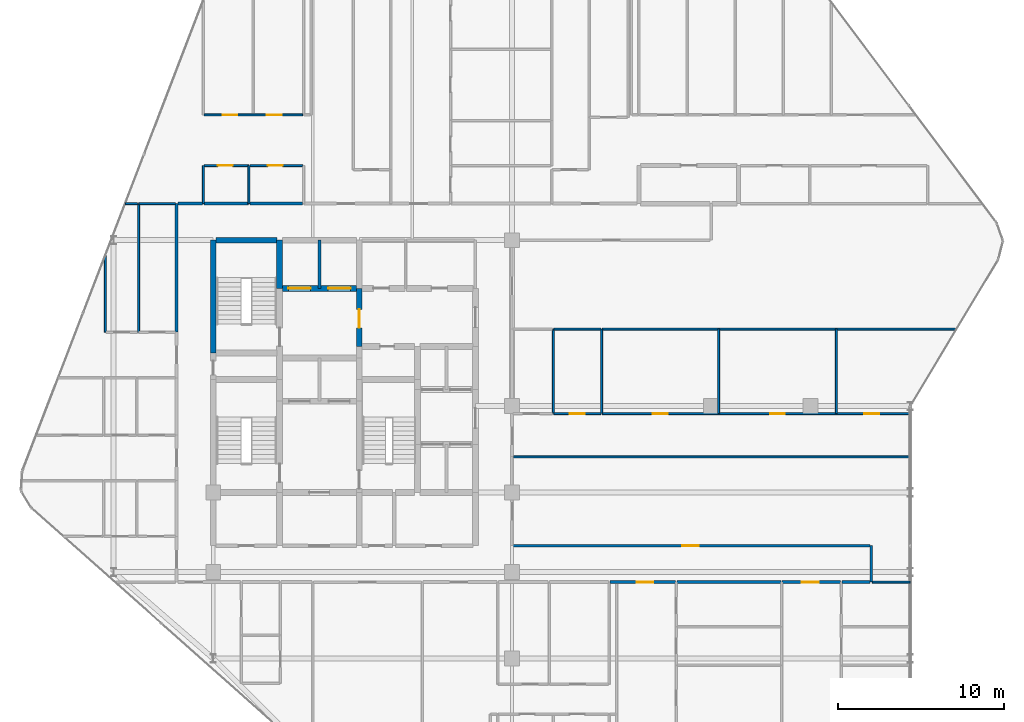
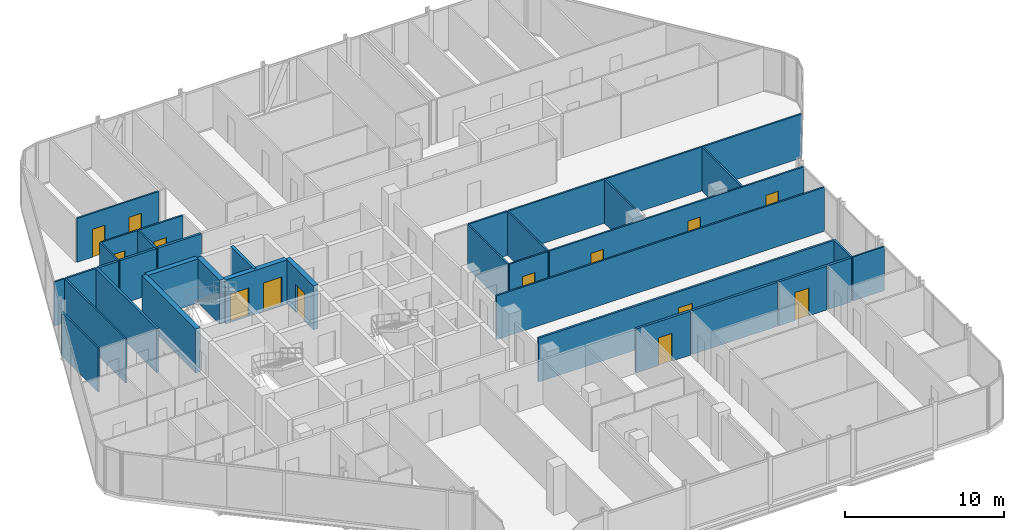
# One storey, part 28 of 31: 35 walls, 14 doors, 14 openings.
"""IFC4 building model written with IfcOpenShell, lengths in metres."""

from ifc_helpers import new_model, si_unit, direction, frame, frame_2d, origin, place, context, subcontext, project, spatial, rectangle, extrude, material, layer, layer_set, type_object, element, fill, save


model = new_model("IFC4")

# Units and contexts
model_context = context("Model", 3, precision=1e-05, world=origin(), true_north=direction((0.0, 1.0)))
body_context = subcontext(model_context, "Body", "Model", "MODEL_VIEW")
ifc_project = project(units=[si_unit("LENGTHUNIT", "METRE"), si_unit("AREAUNIT", "SQUARE_METRE"), si_unit("VOLUMEUNIT", "CUBIC_METRE"), si_unit("PLANEANGLEUNIT", "RADIAN"), si_unit("MASSUNIT", "GRAM", prefix="KILO")], contexts=[model_context])

# Site, building, storey
site_placement = place(None, origin())
site = spatial("IfcSite", under=ifc_project, at=site_placement, CompositionType="ELEMENT")
building_placement = place(site_placement, origin())
building = spatial("IfcBuilding", under=site, at=building_placement, Name="Keshet Zoharim Tower", CompositionType="ELEMENT")
storey_placement = place(building_placement, frame((0.0, 0.0, 129.800048828125)))
storey = spatial("IfcBuildingStorey", under=building, at=storey_placement, Name="L31", CompositionType="ELEMENT", Elevation=129.800048828125)

# Wall
ifc_material_1 = material(Name="Gypsum Plasterboard", Category="gypsum")
ifc_layer_1 = layer(ifc_material_1, 0.14990234375)
ifc_layer_set_1 = layer_set([ifc_layer_1], Name="Gypsum Plasterboard")
wall_type_1 = type_object("IfcWallType", Name="WL-CLIN-150", PredefinedType="STANDARD", material=ifc_layer_set_1)
wall_1_placement = place(storey_placement, frame((54.64990234375, 17.31005859375, 0.0), z_axis=(0.0, 0.0, 1.0), x_axis=(0.0, 1.0, 0.0)))
element("IfcWall", 1, at=wall_1_placement, inside=storey, type_object=wall_type_1, Name="L31 Interior Wall 105", PredefinedType="STANDARD", context=body_context, shape_type="SweptSolid", body=[
    extrude(rectangle(XDim=2.18994140625, YDim=0.14990234375, at=frame_2d((1.094970703125, 0.0))), origin(), (0.0, 0.0, 1.0), 3.385009765625),
])

# Wall, opening, door
wall_2_placement = place(storey_placement, frame((33.070068359375, 19.5, 0.0), z_axis=(0.0, 0.0, 1.0), x_axis=(1.0, 0.0, 0.0)))
wall_2 = element("IfcWall", 2, at=wall_2_placement, inside=storey, type_object=wall_type_1, Name="L31 Interior Wall 138", PredefinedType="STANDARD", context=body_context, shape_type="SweptSolid", body=[
    extrude(rectangle(XDim=21.510009765625, YDim=0.14990234375, at=frame_2d((10.7548828125, 0.0))), origin(), (0.0, 0.0, 1.0), 3.385009765625),
])
opening_1_placement = place(wall_2_placement, frame((10.18505859375, 0.0, 0.0)))
opening_1 = element("IfcOpeningElement", 3, at=opening_1_placement, cuts=wall_2, Name="Opening D-F310", PredefinedType="OPENING", context=body_context, shape_type="SweptSolid", body=[
    extrude(rectangle(XDim=1.0, YDim=2.14990234375, at=frame_2d((0.5, 1.074951171875))), frame((0.0, 0.0849609375, 0.0), z_axis=(0.0, -1.0, 0.0), x_axis=(1.0, 0.0, 0.0)), (0.0, 0.0, 1.0), 0.169921875),
])
ifc_material_2 = material(Name="Hardwood Timber", Category="wood")
door_type_1 = type_object("IfcDoorType", Name="DR-FD30-100", OperationType="NOTDEFINED", PredefinedType="DOOR", material=ifc_material_2)
door_1_placement = place(opening_1_placement, origin())
door_1 = element("IfcDoor", 4, at=door_1_placement, inside=storey, type_object=door_type_1, Name="L31 South East Residents Services Suite Door 1", OperationType="SINGLE_SWING_RIGHT", OverallHeight=2.14990234375, OverallWidth=1.0, PredefinedType="DOOR", context=body_context, shape_type="SweptSolid", body=[
    extrude(rectangle(XDim=1.0, YDim=2.14990234375, at=frame_2d((0.5, 1.074951171875))), frame((0.0, 0.02490234375, 0.0), z_axis=(0.0, -1.0, 0.0), x_axis=(1.0, 0.0, 0.0)), (0.0, 0.0, 1.0), 0.050048828125),
])
fill(opening_1, door_1)

# Walls
ifc_material_3 = material(Name="Concrete C60/75", Category="concrete")
ifc_layer_2 = layer(ifc_material_3, 0.35009765625)
ifc_layer_set_2 = layer_set([ifc_layer_2], Name="Concrete C60/75")
wall_type_2 = type_object("IfcWallType", Name="WL-CORE-350", PredefinedType="SHEAR", material=ifc_layer_set_2)
wall_3_placement = place(storey_placement, frame((15.0, 31.10009765625, 0.0), z_axis=(0.0, 0.0, 1.0), x_axis=(0.0, 1.0, 0.0)))
element("IfcWall", 5, at=wall_3_placement, inside=storey, type_object=wall_type_2, Name="L31 Core Shear Wall 018", PredefinedType="SHEAR", context=body_context, shape_type="SweptSolid", body=[
    extrude(rectangle(XDim=6.7998046875, YDim=0.35009765625, at=frame_2d((3.39990234375, 0.0))), origin(), (0.0, 0.0, 1.0), 3.385009765625),
])
wall_4_placement = place(storey_placement, frame((19.0, 35.0, 0.0), z_axis=(0.0, 0.0, 1.0), x_axis=(0.0, 1.0, 0.0)))
element("IfcWall", 6, at=wall_4_placement, inside=storey, type_object=wall_type_2, Name="L31 Core Shear Wall 027", PredefinedType="SHEAR", context=body_context, shape_type="SweptSolid", body=[
    extrude(rectangle(XDim=2.89990234375, YDim=0.35009765625, at=frame_2d((1.449951171875, 0.0))), origin(), (0.0, 0.0, 1.0), 3.385009765625),
])

# Wall, opening, door
wall_5_placement = place(storey_placement, frame((23.800048828125, 31.5, 0.0), z_axis=(0.0, 0.0, 1.0), x_axis=(0.0, 1.0, 0.0)))
wall_5 = element("IfcWall", 7, at=wall_5_placement, inside=storey, type_object=wall_type_2, Name="L31 Core Shear Wall 042", PredefinedType="SHEAR", context=body_context, shape_type="SweptSolid", body=[
    extrude(rectangle(XDim=3.5, YDim=0.35009765625, at=frame_2d((1.75, 0.0))), origin(), (0.0, 0.0, 1.0), 3.385009765625),
])
opening_2_placement = place(wall_5_placement, frame((1.126953125, 0.0, 0.0)))
opening_2 = element("IfcOpeningElement", 8, at=opening_2_placement, cuts=wall_5, Name="Opening D-F611", PredefinedType="OPENING", context=body_context, shape_type="SweptSolid", body=[
    extrude(rectangle(XDim=1.10009765625, YDim=2.14990234375, at=frame_2d((0.550048828125, 1.074951171875))), frame((0.0, 0.18505859375, 0.0), z_axis=(0.0, -1.0, 0.0), x_axis=(1.0, 0.0, 0.0)), (0.0, 0.0, 1.0), 0.3701171875),
])
door_type_2 = type_object("IfcDoorType", Name="DR-FD60-110", OperationType="NOTDEFINED", PredefinedType="DOOR", material=ifc_material_2)
door_2_placement = place(opening_2_placement, origin())
door_2 = element("IfcDoor", 9, at=door_2_placement, inside=storey, type_object=door_type_2, Name="L31 Firefighting Lobby Fire Door", OperationType="SINGLE_SWING_RIGHT", OverallHeight=2.14990234375, OverallWidth=1.10009765625, PredefinedType="DOOR", context=body_context, shape_type="SweptSolid", body=[
    extrude(rectangle(XDim=1.10009765625, YDim=2.14990234375, at=frame_2d((0.550048828125, 1.074951171875))), frame((0.0, 0.02490234375, 0.0), z_axis=(0.0, -1.0, 0.0), x_axis=(1.0, 0.0, 0.0)), (0.0, 0.0, 1.0), 0.050048828125),
])
fill(opening_2, door_2)

# Wall, openings, doors
wall_6_placement = place(storey_placement, frame((19.159912109375, 35.0, 0.0), z_axis=(0.0, 0.0, 1.0), x_axis=(1.0, 0.0, 0.0)))
wall_6 = element("IfcWall", 10, at=wall_6_placement, inside=storey, type_object=wall_type_2, Name="L31 Core Shear Wall 174", PredefinedType="SHEAR", context=body_context, shape_type="SweptSolid", body=[
    extrude(rectangle(XDim=4.47998046875, YDim=0.35009765625, at=frame_2d((2.239990234375, 0.0))), origin(), (0.0, 0.0, 1.0), 3.385009765625),
])
opening_3_placement = place(wall_6_placement, frame((0.364990234375, 0.0, 0.0)))
opening_3 = element("IfcOpeningElement", 11, at=opening_3_placement, cuts=wall_6, Name="Opening LD-02", PredefinedType="OPENING", context=body_context, shape_type="SweptSolid", body=[
    extrude(rectangle(XDim=1.35009765625, YDim=2.199951171875, at=frame_2d((0.675048828125, 1.10009765625))), frame((0.0, 0.18505859375, 0.0), z_axis=(0.0, -1.0, 0.0), x_axis=(1.0, 0.0, 0.0)), (0.0, 0.0, 1.0), 0.3701171875),
])
opening_4_placement = place(wall_6_placement, frame((2.764892578125, 0.0, 0.0)))
opening_4 = element("IfcOpeningElement", 12, at=opening_4_placement, cuts=wall_6, Name="Opening LD-02", PredefinedType="OPENING", context=body_context, shape_type="SweptSolid", body=[
    extrude(rectangle(XDim=1.35009765625, YDim=2.199951171875, at=frame_2d((0.675048828125, 1.10009765625))), frame((0.0, 0.18505859375, 0.0), z_axis=(0.0, -1.0, 0.0), x_axis=(1.0, 0.0, 0.0)), (0.0, 0.0, 1.0), 0.3701171875),
])
ifc_material_4 = material(Name="Steel S355", Category="steel")
door_type_3 = type_object("IfcDoorType", Name="DR-LD02-135", OperationType="DOUBLE_DOOR_SLIDING", PredefinedType="DOOR", material=ifc_material_4)
door_3_placement = place(opening_3_placement, origin())
door_3 = element("IfcDoor", 13, at=door_3_placement, inside=storey, type_object=door_type_3, Name="L31 Firefighting Lift Landing Door FF-01", OperationType="DOUBLE_DOOR_SLIDING", OverallHeight=2.199951171875, OverallWidth=1.35009765625, PredefinedType="DOOR", context=body_context, shape_type="SweptSolid", body=[
    extrude(rectangle(XDim=1.35009765625, YDim=2.199951171875, at=frame_2d((0.675048828125, 1.10009765625))), frame((0.0, 0.02490234375, 0.0), z_axis=(0.0, -1.0, 0.0), x_axis=(1.0, 0.0, 0.0)), (0.0, 0.0, 1.0), 0.050048828125),
])
fill(opening_3, door_3)
door_4_placement = place(opening_4_placement, origin())
door_4 = element("IfcDoor", 14, at=door_4_placement, inside=storey, type_object=door_type_3, Name="L31 Firefighting Lift Landing Door FF-02", OperationType="DOUBLE_DOOR_SLIDING", OverallHeight=2.199951171875, OverallWidth=1.35009765625, PredefinedType="DOOR", context=body_context, shape_type="SweptSolid", body=[
    extrude(rectangle(XDim=1.35009765625, YDim=2.199951171875, at=frame_2d((0.675048828125, 1.10009765625))), frame((0.0, 0.02490234375, 0.0), z_axis=(0.0, -1.0, 0.0), x_axis=(1.0, 0.0, 0.0)), (0.0, 0.0, 1.0), 0.050048828125),
])
fill(opening_4, door_4)

# Walls
wall_7_placement = place(storey_placement, frame((15.159912109375, 37.89990234375, 0.0), z_axis=(0.0, 0.0, 1.0), x_axis=(1.0, 0.0, 0.0)))
element("IfcWall", 15, at=wall_7_placement, inside=storey, type_object=wall_type_2, Name="L31 Core Shear Wall 177", PredefinedType="SHEAR", context=body_context, shape_type="SweptSolid", body=[
    extrude(rectangle(XDim=3.68017578125, YDim=0.35009765625, at=frame_2d((1.840087890625, 0.0))), origin(), (0.0, 0.0, 1.0), 3.385009765625),
])
ifc_layer_3 = layer(ifc_material_1, 0.179931640625)
ifc_layer_set_3 = layer_set([ifc_layer_3], Name="Gypsum Plasterboard")
wall_type_3 = type_object("IfcWallType", Name="WL-CORR-180", PredefinedType="STANDARD", material=ifc_layer_set_3)
wall_8_placement = place(storey_placement, frame((12.800048828125, 32.360107421875, 0.0), z_axis=(0.0, 0.0, 1.0), x_axis=(0.0, 1.0, 0.0)))
element("IfcWall", 16, at=wall_8_placement, inside=storey, type_object=wall_type_3, Name="L31 Interior Wall 012", PredefinedType="STANDARD", context=body_context, shape_type="SweptSolid", body=[
    extrude(rectangle(XDim=7.739990234375, YDim=0.179931640625, at=frame_2d((3.8701171875, 0.0))), origin(), (0.0, 0.0, 1.0), 3.385009765625),
])

# Wall, opening, door
wall_9_placement = place(storey_placement, frame((38.89501953125, 17.300048828125, 0.0), z_axis=(0.0, 0.0, 1.0), x_axis=(1.0, 0.0, 0.0)))
wall_9 = element("IfcWall", 17, at=wall_9_placement, inside=storey, type_object=wall_type_3, Name="L31 Interior Wall 129", PredefinedType="STANDARD", context=body_context, shape_type="SweptSolid", body=[
    extrude(rectangle(XDim=3.9599609375, YDim=0.179931640625, at=frame_2d((1.97998046875, 0.0))), origin(), (0.0, 0.0, 1.0), 3.385009765625),
])
opening_5_placement = place(wall_9_placement, frame((1.60888671875, 0.0, 0.0)))
opening_5 = element("IfcOpeningElement", 18, at=opening_5_placement, cuts=wall_9, Name="Opening D-F310", PredefinedType="OPENING", context=body_context, shape_type="SweptSolid", body=[
    extrude(rectangle(XDim=1.0, YDim=2.14990234375, at=frame_2d((0.5, 1.074951171875))), frame((0.0, 0.10009765625, 0.0), z_axis=(0.0, -1.0, 0.0), x_axis=(1.0, 0.0, 0.0)), (0.0, 0.0, 1.0), 0.199951171875),
])
door_5_placement = place(opening_5_placement, origin())
door_5 = element("IfcDoor", 19, at=door_5_placement, inside=storey, type_object=door_type_1, Name="Apartment 3103 Entrance Door", OperationType="SINGLE_SWING_RIGHT", OverallHeight=2.14990234375, OverallWidth=1.0, PredefinedType="DOOR", context=body_context, shape_type="SweptSolid", body=[
    extrude(rectangle(XDim=1.0, YDim=2.14990234375, at=frame_2d((0.5, 1.074951171875))), frame((0.0, 0.02490234375, 0.0), z_axis=(0.0, -1.0, 0.0), x_axis=(1.0, 0.0, 0.0)), (0.0, 0.0, 1.0), 0.050048828125),
])
fill(opening_5, door_5)

# Wall
wall_10_placement = place(storey_placement, frame((42.945068359375, 17.300048828125, 0.0), z_axis=(0.0, 0.0, 1.0), x_axis=(1.0, 0.0, 0.0)))
element("IfcWall", 20, at=wall_10_placement, inside=storey, type_object=wall_type_3, Name="L31 Interior Wall 130", PredefinedType="STANDARD", context=body_context, shape_type="SweptSolid", body=[
    extrude(rectangle(XDim=6.25, YDim=0.179931640625, at=frame_2d((3.125, 0.0))), origin(), (0.0, 0.0, 1.0), 3.385009765625),
])

# Wall, opening, door
wall_11_placement = place(storey_placement, frame((49.284912109375, 17.300048828125, 0.0), z_axis=(0.0, 0.0, 1.0), x_axis=(1.0, 0.0, 0.0)))
wall_11 = element("IfcWall", 21, at=wall_11_placement, inside=storey, type_object=wall_type_3, Name="L31 Interior Wall 131", PredefinedType="STANDARD", context=body_context, shape_type="SweptSolid", body=[
    extrude(rectangle(XDim=3.510009765625, YDim=0.179931640625, at=frame_2d((1.7548828125, 0.0))), origin(), (0.0, 0.0, 1.0), 3.385009765625),
])
opening_6_placement = place(wall_11_placement, frame((1.18505859375, 0.0, 0.0)))
opening_6 = element("IfcOpeningElement", 22, at=opening_6_placement, cuts=wall_11, Name="Opening D-F310", PredefinedType="OPENING", context=body_context, shape_type="SweptSolid", body=[
    extrude(rectangle(XDim=1.0, YDim=2.14990234375, at=frame_2d((0.5, 1.074951171875))), frame((0.0, 0.10009765625, 0.0), z_axis=(0.0, -1.0, 0.0), x_axis=(1.0, 0.0, 0.0)), (0.0, 0.0, 1.0), 0.199951171875),
])
door_6_placement = place(opening_6_placement, origin())
door_6 = element("IfcDoor", 23, at=door_6_placement, inside=storey, type_object=door_type_1, Name="Apartment 3104 Entrance Door", OperationType="SINGLE_SWING_LEFT", OverallHeight=2.14990234375, OverallWidth=1.0, PredefinedType="DOOR", context=body_context, shape_type="SweptSolid", body=[
    extrude(rectangle(XDim=1.0, YDim=2.14990234375, at=frame_2d((0.5, 1.074951171875))), frame((0.0, 0.02490234375, 0.0), z_axis=(0.0, -1.0, 0.0), x_axis=(1.0, 0.0, 0.0)), (0.0, 0.0, 1.0), 0.050048828125),
])
fill(opening_6, door_6)

# Walls
wall_12_placement = place(storey_placement, frame((52.885009765625, 17.300048828125, 0.0), z_axis=(0.0, 0.0, 1.0), x_axis=(1.0, 0.0, 0.0)))
element("IfcWall", 24, at=wall_12_placement, inside=storey, type_object=wall_type_3, Name="L31 Interior Wall 132", PredefinedType="STANDARD", context=body_context, shape_type="SweptSolid", body=[
    extrude(rectangle(XDim=1.695068359375, YDim=0.179931640625, at=frame_2d((0.84765625, 0.0))), origin(), (0.0, 0.0, 1.0), 3.385009765625),
])
wall_13_placement = place(storey_placement, frame((12.875, 40.10009765625, 0.0), z_axis=(0.0, 0.0, 1.0), x_axis=(1.0, 0.0, 0.0)))
element("IfcWall", 25, at=wall_13_placement, inside=storey, type_object=wall_type_3, Name="L31 Interior Wall 184", PredefinedType="STANDARD", context=body_context, shape_type="SweptSolid", body=[
    extrude(rectangle(XDim=1.47998046875, YDim=0.179931640625, at=frame_2d((0.739990234375, 0.0))), origin(), (0.0, 0.0, 1.0), 3.385009765625),
])
wall_14_placement = place(storey_placement, frame((14.445068359375, 40.10009765625, 0.0), z_axis=(0.0, 0.0, 1.0), x_axis=(1.0, 0.0, 0.0)))
element("IfcWall", 26, at=wall_14_placement, inside=storey, type_object=wall_type_3, Name="L31 Interior Wall 185", PredefinedType="STANDARD", context=body_context, shape_type="SweptSolid", body=[
    extrude(rectangle(XDim=2.683837890625, YDim=0.179931640625, at=frame_2d((1.341796875, 0.0))), origin(), (0.0, 0.0, 1.0), 3.385009765625),
])
wall_15_placement = place(storey_placement, frame((17.218994140625, 40.10009765625, 0.0), z_axis=(0.0, 0.0, 1.0), x_axis=(1.0, 0.0, 0.0)))
element("IfcWall", 27, at=wall_15_placement, inside=storey, type_object=wall_type_3, Name="L31 Interior Wall 186", PredefinedType="STANDARD", context=body_context, shape_type="SweptSolid", body=[
    extrude(rectangle(XDim=3.166015625, YDim=0.179931640625, at=frame_2d((1.5830078125, 0.0))), origin(), (0.0, 0.0, 1.0), 3.385009765625),
])
ifc_material_5 = material(Name="Concrete C50/60", Category="concrete")
ifc_layer_4 = layer(ifc_material_5, 0.199951171875)
ifc_layer_set_4 = layer_set([ifc_layer_4], Name="Concrete C50/60")
wall_type_4 = type_object("IfcWallType", Name="WL-FIRE-200", PredefinedType="STANDARD", material=ifc_layer_set_4)
wall_16_placement = place(storey_placement, frame((21.39990234375, 35.0, 0.0), z_axis=(0.0, 0.0, 1.0), x_axis=(0.0, 1.0, 0.0)))
element("IfcWall", 28, at=wall_16_placement, inside=storey, type_object=wall_type_4, Name="L31 Interior Wall 035", PredefinedType="STANDARD", context=body_context, shape_type="SweptSolid", body=[
    extrude(rectangle(XDim=2.89990234375, YDim=0.199951171875, at=frame_2d((1.449951171875, 0.0))), origin(), (0.0, 0.0, 1.0), 3.385009765625),
])
ifc_layer_5 = layer(ifc_material_1, 0.1201171875)
ifc_layer_set_5 = layer_set([ifc_layer_5], Name="Gypsum Plasterboard")
wall_type_5 = type_object("IfcWallType", Name="WL-PART-120", PredefinedType="PARTITIONING", material=ifc_layer_set_5)
wall_17_placement = place(storey_placement, frame((8.5, 32.360107421875, 0.0), z_axis=(0.0, 0.0, 1.0), x_axis=(0.0, 1.0, 0.0)))
element("IfcWall", 29, at=wall_17_placement, inside=storey, type_object=wall_type_5, Name="L31 Interior Wall 003", PredefinedType="PARTITIONING", context=body_context, shape_type="SweptSolid", body=[
    extrude(rectangle(XDim=4.6298828125, YDim=0.1201171875, at=frame_2d((2.31494140625, 0.0))), origin(), (0.0, 0.0, 1.0), 3.385009765625),
])
wall_18_placement = place(storey_placement, frame((14.39990234375, 40.10009765625, 0.0), z_axis=(0.0, 0.0, 1.0), x_axis=(0.0, 1.0, 0.0)))
element("IfcWall", 30, at=wall_18_placement, inside=storey, type_object=wall_type_5, Name="L31 Interior Wall 013", PredefinedType="PARTITIONING", context=body_context, shape_type="SweptSolid", body=[
    extrude(rectangle(XDim=2.2998046875, YDim=0.1201171875, at=frame_2d((1.14990234375, 0.0))), origin(), (0.0, 0.0, 1.0), 3.385009765625),
])
for number, where, z_axis, x_axis, name in (
    (31, (45.449951171875, 27.469970703125, 0.0), (0.0, 0.0, 1.0), (0.0, 1.0, 0.0), "L31 Interior Wall 092"),
    (32, (52.550048828125, 27.469970703125, 0.0), (0.0, 0.0, 1.0), (0.0, 1.0, 0.0), "L31 Interior Wall 101"),
):
    element("IfcWall", number, at=place(storey_placement, frame(where, z_axis=z_axis, x_axis=x_axis)), inside=storey, type_object=wall_type_5, Name=name, PredefinedType="PARTITIONING", context=body_context, shape_type="SweptSolid", body=[
        extrude(rectangle(XDim=5.070068359375, YDim=0.1201171875, at=frame_2d((2.53515625, 0.0))), origin(), (0.0, 0.0, 1.0), 3.385009765625),
    ])
wall_19_placement = place(storey_placement, frame((33.0849609375, 24.85009765625, 0.0), z_axis=(0.0, 0.0, 1.0), x_axis=(1.0, 0.0, 0.0)))
element("IfcWall", 33, at=wall_19_placement, inside=storey, type_object=wall_type_5, Name="L31 Interior Wall 150", PredefinedType="PARTITIONING", context=body_context, shape_type="SweptSolid", body=[
    extrude(rectangle(XDim=23.905029296875, YDim=0.1201171875, at=frame_2d((11.95263671875, 0.0))), origin(), (0.0, 0.0, 1.0), 3.385009765625),
])

# Wall, openings, doors
wall_20_placement = place(storey_placement, frame((38.445068359375, 27.449951171875, 0.0), z_axis=(0.0, 0.0, 1.0), x_axis=(1.0, 0.0, 0.0)))
wall_20 = element("IfcWall", 34, at=wall_20_placement, inside=storey, type_object=wall_type_5, Name="L31 Interior Wall 157", PredefinedType="PARTITIONING", context=body_context, shape_type="SweptSolid", body=[
    extrude(rectangle(XDim=18.544921875, YDim=0.1201171875, at=frame_2d((9.2724609375, 0.0))), origin(), (0.0, 0.0, 1.0), 3.385009765625),
])
opening_7_placement = place(wall_20_placement, frame((3.0419921875, 0.0, 0.0)))
opening_7 = element("IfcOpeningElement", 35, at=opening_7_placement, cuts=wall_20, Name="Opening D-IN90", PredefinedType="OPENING", context=body_context, shape_type="SweptSolid", body=[
    extrude(rectangle(XDim=0.89990234375, YDim=2.14990234375, at=frame_2d((0.449951171875, 1.074951171875))), frame((0.0, 0.070068359375, 0.0), z_axis=(0.0, -1.0, 0.0), x_axis=(1.0, 0.0, 0.0)), (0.0, 0.0, 1.0), 0.14013671875),
])
opening_8_placement = place(wall_20_placement, frame((10.10302734375, 0.0, 0.0)))
opening_8 = element("IfcOpeningElement", 36, at=opening_8_placement, cuts=wall_20, Name="Opening D-IN90", PredefinedType="OPENING", context=body_context, shape_type="SweptSolid", body=[
    extrude(rectangle(XDim=0.89990234375, YDim=2.14990234375, at=frame_2d((0.449951171875, 1.074951171875))), frame((0.0, 0.070068359375, 0.0), z_axis=(0.0, -1.0, 0.0), x_axis=(1.0, 0.0, 0.0)), (0.0, 0.0, 1.0), 0.14013671875),
])
opening_9_placement = place(wall_20_placement, frame((15.791015625, 0.0, 0.0)))
opening_9 = element("IfcOpeningElement", 37, at=opening_9_placement, cuts=wall_20, Name="Opening D-IN90", PredefinedType="OPENING", context=body_context, shape_type="SweptSolid", body=[
    extrude(rectangle(XDim=0.89990234375, YDim=2.14990234375, at=frame_2d((0.449951171875, 1.074951171875))), frame((0.0, 0.070068359375, 0.0), z_axis=(0.0, -1.0, 0.0), x_axis=(1.0, 0.0, 0.0)), (0.0, 0.0, 1.0), 0.14013671875),
])
door_type_4 = type_object("IfcDoorType", Name="DR-INT-090", OperationType="NOTDEFINED", PredefinedType="DOOR", material=ifc_material_2)
door_7_placement = place(opening_7_placement, origin())
door_7 = element("IfcDoor", 38, at=door_7_placement, inside=storey, type_object=door_type_4, Name="Apartment 3111 Bedroom 1 Door", OperationType="SINGLE_SWING_RIGHT", OverallHeight=2.14990234375, OverallWidth=0.89990234375, PredefinedType="DOOR", context=body_context, shape_type="SweptSolid", body=[
    extrude(rectangle(XDim=0.89990234375, YDim=2.14990234375, at=frame_2d((0.449951171875, 1.074951171875))), frame((0.0, 0.02490234375, 0.0), z_axis=(0.0, -1.0, 0.0), x_axis=(1.0, 0.0, 0.0)), (0.0, 0.0, 1.0), 0.050048828125),
])
fill(opening_7, door_7)
door_8_placement = place(opening_8_placement, origin())
door_8 = element("IfcDoor", 39, at=door_8_placement, inside=storey, type_object=door_type_4, Name="Apartment 3111 Bedroom 2 Door", OperationType="SINGLE_SWING_LEFT", OverallHeight=2.14990234375, OverallWidth=0.89990234375, PredefinedType="DOOR", context=body_context, shape_type="SweptSolid", body=[
    extrude(rectangle(XDim=0.89990234375, YDim=2.14990234375, at=frame_2d((0.449951171875, 1.074951171875))), frame((0.0, 0.02490234375, 0.0), z_axis=(0.0, -1.0, 0.0), x_axis=(1.0, 0.0, 0.0)), (0.0, 0.0, 1.0), 0.050048828125),
])
fill(opening_8, door_8)
door_9_placement = place(opening_9_placement, origin())
door_9 = element("IfcDoor", 40, at=door_9_placement, inside=storey, type_object=door_type_4, Name="Apartment 3111 Bedroom 3 Door", OperationType="SINGLE_SWING_RIGHT", OverallHeight=2.14990234375, OverallWidth=0.89990234375, PredefinedType="DOOR", context=body_context, shape_type="SweptSolid", body=[
    extrude(rectangle(XDim=0.89990234375, YDim=2.14990234375, at=frame_2d((0.449951171875, 1.074951171875))), frame((0.0, 0.02490234375, 0.0), z_axis=(0.0, -1.0, 0.0), x_axis=(1.0, 0.0, 0.0)), (0.0, 0.0, 1.0), 0.050048828125),
])
fill(opening_9, door_9)

# Walls
wall_21_placement = place(storey_placement, frame((38.445068359375, 32.550048828125, 0.0), z_axis=(0.0, 0.0, 1.0), x_axis=(1.0, 0.0, 0.0)))
element("IfcWall", 41, at=wall_21_placement, inside=storey, type_object=wall_type_5, Name="L31 Interior Wall 173", PredefinedType="PARTITIONING", context=body_context, shape_type="SweptSolid", body=[
    extrude(rectangle(XDim=21.3349609375, YDim=0.1201171875, at=frame_2d((10.66748046875, 0.0))), origin(), (0.0, 0.0, 1.0), 3.385009765625),
])
wall_22_placement = place(storey_placement, frame((9.701904296875, 40.10009765625, 0.0), z_axis=(0.0, 0.0, 1.0), x_axis=(1.0, 0.0, 0.0)))
element("IfcWall", 42, at=wall_22_placement, inside=storey, type_object=wall_type_5, Name="L31 Interior Wall 182", PredefinedType="PARTITIONING", context=body_context, shape_type="SweptSolid", body=[
    extrude(rectangle(XDim=0.731201171875, YDim=0.1201171875, at=frame_2d((0.36572265625, 0.0))), origin(), (0.0, 0.0, 1.0), 3.385009765625),
])

# Wall, opening, door
wall_23_placement = place(storey_placement, frame((14.445068359375, 42.39990234375, 0.0), z_axis=(0.0, 0.0, 1.0), x_axis=(1.0, 0.0, 0.0)))
wall_23 = element("IfcWall", 43, at=wall_23_placement, inside=storey, type_object=wall_type_5, Name="L31 Interior Wall 197", PredefinedType="PARTITIONING", context=body_context, shape_type="SweptSolid", body=[
    extrude(rectangle(XDim=2.683837890625, YDim=0.1201171875, at=frame_2d((1.341796875, 0.0))), origin(), (0.0, 0.0, 1.0), 3.385009765625),
])
opening_10_placement = place(wall_23_placement, frame((0.81689453125, 0.0, 0.0)))
opening_10 = element("IfcOpeningElement", 44, at=opening_10_placement, cuts=wall_23, Name="Opening D-IN90", PredefinedType="OPENING", context=body_context, shape_type="SweptSolid", body=[
    extrude(rectangle(XDim=0.89990234375, YDim=2.14990234375, at=frame_2d((0.449951171875, 1.074951171875))), frame((0.0, 0.070068359375, 0.0), z_axis=(0.0, -1.0, 0.0), x_axis=(1.0, 0.0, 0.0)), (0.0, 0.0, 1.0), 0.14013671875),
])
door_10_placement = place(opening_10_placement, origin())
door_10 = element("IfcDoor", 45, at=door_10_placement, inside=storey, type_object=door_type_4, Name="Apartment 3105 Kitchen Door", OperationType="SINGLE_SWING_RIGHT", OverallHeight=2.14990234375, OverallWidth=0.89990234375, PredefinedType="DOOR", context=body_context, shape_type="SweptSolid", body=[
    extrude(rectangle(XDim=0.89990234375, YDim=2.14990234375, at=frame_2d((0.449951171875, 1.074951171875))), frame((0.0, 0.02490234375, 0.0), z_axis=(0.0, -1.0, 0.0), x_axis=(1.0, 0.0, 0.0)), (0.0, 0.0, 1.0), 0.050048828125),
])
fill(opening_10, door_10)

# Wall, openings, doors
wall_24_placement = place(storey_placement, frame((14.445068359375, 45.449951171875, 0.0), z_axis=(0.0, 0.0, 1.0), x_axis=(1.0, 0.0, 0.0)))
wall_24 = element("IfcWall", 46, at=wall_24_placement, inside=storey, type_object=wall_type_5, Name="L31 Interior Wall 205", PredefinedType="PARTITIONING", context=body_context, shape_type="SweptSolid", body=[
    extrude(rectangle(XDim=5.93994140625, YDim=0.1201171875, at=frame_2d((2.969970703125, 0.0))), origin(), (0.0, 0.0, 1.0), 3.385009765625),
])
opening_11_placement = place(wall_24_placement, frame((1.116943359375, 0.0, 0.0)))
opening_11 = element("IfcOpeningElement", 47, at=opening_11_placement, cuts=wall_24, Name="Opening D-IN90", PredefinedType="OPENING", context=body_context, shape_type="SweptSolid", body=[
    extrude(rectangle(XDim=0.89990234375, YDim=2.14990234375, at=frame_2d((0.449951171875, 1.074951171875))), frame((0.0, 0.070068359375, 0.0), z_axis=(0.0, -1.0, 0.0), x_axis=(1.0, 0.0, 0.0)), (0.0, 0.0, 1.0), 0.14013671875),
])
opening_12_placement = place(wall_24_placement, frame((3.781982421875, 0.0, 0.0)))
opening_12 = element("IfcOpeningElement", 48, at=opening_12_placement, cuts=wall_24, Name="Opening D-IN90", PredefinedType="OPENING", context=body_context, shape_type="SweptSolid", body=[
    extrude(rectangle(XDim=0.89990234375, YDim=2.14990234375, at=frame_2d((0.449951171875, 1.074951171875))), frame((0.0, 0.070068359375, 0.0), z_axis=(0.0, -1.0, 0.0), x_axis=(1.0, 0.0, 0.0)), (0.0, 0.0, 1.0), 0.14013671875),
])
door_11_placement = place(opening_11_placement, origin())
door_11 = element("IfcDoor", 49, at=door_11_placement, inside=storey, type_object=door_type_4, Name="Apartment 3105 Bedroom 1 Door", OperationType="SINGLE_SWING_RIGHT", OverallHeight=2.14990234375, OverallWidth=0.89990234375, PredefinedType="DOOR", context=body_context, shape_type="SweptSolid", body=[
    extrude(rectangle(XDim=0.89990234375, YDim=2.14990234375, at=frame_2d((0.449951171875, 1.074951171875))), frame((0.0, 0.02490234375, 0.0), z_axis=(0.0, -1.0, 0.0), x_axis=(1.0, 0.0, 0.0)), (0.0, 0.0, 1.0), 0.050048828125),
])
fill(opening_11, door_11)
door_12_placement = place(opening_12_placement, origin())
door_12 = element("IfcDoor", 50, at=door_12_placement, inside=storey, type_object=door_type_4, Name="Apartment 3105 Bedroom 2 Door", OperationType="SINGLE_SWING_LEFT", OverallHeight=2.14990234375, OverallWidth=0.89990234375, PredefinedType="DOOR", context=body_context, shape_type="SweptSolid", body=[
    extrude(rectangle(XDim=0.89990234375, YDim=2.14990234375, at=frame_2d((0.449951171875, 1.074951171875))), frame((0.0, 0.02490234375, 0.0), z_axis=(0.0, -1.0, 0.0), x_axis=(1.0, 0.0, 0.0)), (0.0, 0.0, 1.0), 0.050048828125),
])
fill(opening_12, door_12)

# Walls
ifc_layer_6 = layer(ifc_material_1, 0.1201171875)
ifc_layer_set_6 = layer_set([ifc_layer_6], Name="Gypsum Plasterboard")
wall_type_6 = type_object("IfcWallType", Name="WL-WET-120", PredefinedType="PARTITIONING", material=ifc_layer_set_6)
wall_25_placement = place(storey_placement, frame((10.5, 32.360107421875, 0.0), z_axis=(0.0, 0.0, 1.0), x_axis=(0.0, 1.0, 0.0)))
element("IfcWall", 51, at=wall_25_placement, inside=storey, type_object=wall_type_6, Name="L31 Interior Wall 006", PredefinedType="PARTITIONING", context=body_context, shape_type="SweptSolid", body=[
    extrude(rectangle(XDim=7.739990234375, YDim=0.1201171875, at=frame_2d((3.8701171875, 0.0))), origin(), (0.0, 0.0, 1.0), 3.385009765625),
])
wall_26_placement = place(storey_placement, frame((17.14990234375, 40.10009765625, 0.0), z_axis=(0.0, 0.0, 1.0), x_axis=(0.0, 1.0, 0.0)))
element("IfcWall", 52, at=wall_26_placement, inside=storey, type_object=wall_type_6, Name="L31 Interior Wall 021", PredefinedType="PARTITIONING", context=body_context, shape_type="SweptSolid", body=[
    extrude(rectangle(XDim=2.2998046875, YDim=0.1201171875, at=frame_2d((1.14990234375, 0.0))), origin(), (0.0, 0.0, 1.0), 3.385009765625),
])
for number, where, z_axis, x_axis, name in (
    (53, (35.5, 27.469970703125, 0.0), (0.0, 0.0, 1.0), (0.0, 1.0, 0.0), "L31 Interior Wall 076"),
    (54, (38.39990234375, 27.469970703125, 0.0), (0.0, 0.0, 1.0), (0.0, 1.0, 0.0), "L31 Interior Wall 079"),
):
    element("IfcWall", number, at=place(storey_placement, frame(where, z_axis=z_axis, x_axis=x_axis)), inside=storey, type_object=wall_type_6, Name=name, PredefinedType="PARTITIONING", context=body_context, shape_type="SweptSolid", body=[
        extrude(rectangle(XDim=5.070068359375, YDim=0.1201171875, at=frame_2d((2.53515625, 0.0))), origin(), (0.0, 0.0, 1.0), 3.385009765625),
    ])
wall_27_placement = place(storey_placement, frame((54.7099609375, 17.300048828125, 0.0), z_axis=(0.0, 0.0, 1.0), x_axis=(1.0, 0.0, 0.0)))
element("IfcWall", 55, at=wall_27_placement, inside=storey, type_object=wall_type_6, Name="L31 Interior Wall 133", PredefinedType="PARTITIONING", context=body_context, shape_type="SweptSolid", body=[
    extrude(rectangle(XDim=2.280029296875, YDim=0.1201171875, at=frame_2d((1.14013671875, 0.0))), origin(), (0.0, 0.0, 1.0), 3.385009765625),
])

# Wall, opening, door
wall_28_placement = place(storey_placement, frame((35.529052734375, 27.449951171875, 0.0), z_axis=(0.0, 0.0, 1.0), x_axis=(1.0, 0.0, 0.0)))
wall_28 = element("IfcWall", 56, at=wall_28_placement, inside=storey, type_object=wall_type_6, Name="L31 Interior Wall 156", PredefinedType="PARTITIONING", context=body_context, shape_type="SweptSolid", body=[
    extrude(rectangle(XDim=2.825927734375, YDim=0.1201171875, at=frame_2d((1.4130859375, 0.0))), origin(), (0.0, 0.0, 1.0), 3.385009765625),
])
opening_13_placement = place(wall_28_placement, frame((0.962890625, 0.0, 0.0)))
opening_13 = element("IfcOpeningElement", 57, at=opening_13_placement, cuts=wall_28, Name="Opening D-WT90", PredefinedType="OPENING", context=body_context, shape_type="SweptSolid", body=[
    extrude(rectangle(XDim=0.89990234375, YDim=2.10009765625, at=frame_2d((0.449951171875, 1.050048828125))), frame((0.0, 0.070068359375, 0.0), z_axis=(0.0, -1.0, 0.0), x_axis=(1.0, 0.0, 0.0)), (0.0, 0.0, 1.0), 0.14013671875),
])
door_type_5 = type_object("IfcDoorType", Name="DR-WET-090", OperationType="NOTDEFINED", PredefinedType="DOOR", material=ifc_material_2)
door_13_placement = place(opening_13_placement, origin())
door_13 = element("IfcDoor", 58, at=door_13_placement, inside=storey, type_object=door_type_5, Name="Apartment 3111 Bathroom Door", OperationType="SINGLE_SWING_LEFT", OverallHeight=2.10009765625, OverallWidth=0.89990234375, PredefinedType="DOOR", context=body_context, shape_type="SweptSolid", body=[
    extrude(rectangle(XDim=0.89990234375, YDim=2.10009765625, at=frame_2d((0.449951171875, 1.050048828125))), frame((0.0, 0.02490234375, 0.0), z_axis=(0.0, -1.0, 0.0), x_axis=(1.0, 0.0, 0.0)), (0.0, 0.0, 1.0), 0.050048828125),
])
fill(opening_13, door_13)

# Walls
wall_29_placement = place(storey_placement, frame((35.529052734375, 32.550048828125, 0.0), z_axis=(0.0, 0.0, 1.0), x_axis=(1.0, 0.0, 0.0)))
element("IfcWall", 59, at=wall_29_placement, inside=storey, type_object=wall_type_6, Name="L31 Interior Wall 172", PredefinedType="PARTITIONING", context=body_context, shape_type="SweptSolid", body=[
    extrude(rectangle(XDim=2.825927734375, YDim=0.1201171875, at=frame_2d((1.4130859375, 0.0))), origin(), (0.0, 0.0, 1.0), 3.385009765625),
])
wall_30_placement = place(storey_placement, frame((10.52294921875, 40.10009765625, 0.0), z_axis=(0.0, 0.0, 1.0), x_axis=(1.0, 0.0, 0.0)))
element("IfcWall", 60, at=wall_30_placement, inside=storey, type_object=wall_type_6, Name="L31 Interior Wall 183", PredefinedType="PARTITIONING", context=body_context, shape_type="SweptSolid", body=[
    extrude(rectangle(XDim=2.2021484375, YDim=0.1201171875, at=frame_2d((1.10107421875, 0.0))), origin(), (0.0, 0.0, 1.0), 3.385009765625),
])

# Wall, opening, door
wall_31_placement = place(storey_placement, frame((17.218994140625, 42.39990234375, 0.0), z_axis=(0.0, 0.0, 1.0), x_axis=(1.0, 0.0, 0.0)))
wall_31 = element("IfcWall", 61, at=wall_31_placement, inside=storey, type_object=wall_type_6, Name="L31 Interior Wall 198", PredefinedType="PARTITIONING", context=body_context, shape_type="SweptSolid", body=[
    extrude(rectangle(XDim=3.166015625, YDim=0.1201171875, at=frame_2d((1.5830078125, 0.0))), origin(), (0.0, 0.0, 1.0), 3.385009765625),
])
opening_14_placement = place(wall_31_placement, frame((1.06201171875, 0.0, 0.0)))
opening_14 = element("IfcOpeningElement", 62, at=opening_14_placement, cuts=wall_31, Name="Opening D-WT90", PredefinedType="OPENING", context=body_context, shape_type="SweptSolid", body=[
    extrude(rectangle(XDim=0.89990234375, YDim=2.10009765625, at=frame_2d((0.449951171875, 1.050048828125))), frame((0.0, 0.070068359375, 0.0), z_axis=(0.0, -1.0, 0.0), x_axis=(1.0, 0.0, 0.0)), (0.0, 0.0, 1.0), 0.14013671875),
])
door_14_placement = place(opening_14_placement, origin())
door_14 = element("IfcDoor", 63, at=door_14_placement, inside=storey, type_object=door_type_5, Name="Apartment 3105 Bathroom Door", OperationType="SINGLE_SWING_LEFT", OverallHeight=2.10009765625, OverallWidth=0.89990234375, PredefinedType="DOOR", context=body_context, shape_type="SweptSolid", body=[
    extrude(rectangle(XDim=0.89990234375, YDim=2.10009765625, at=frame_2d((0.449951171875, 1.050048828125))), frame((0.0, 0.02490234375, 0.0), z_axis=(0.0, -1.0, 0.0), x_axis=(1.0, 0.0, 0.0)), (0.0, 0.0, 1.0), 0.050048828125),
])
fill(opening_14, door_14)

save(model, "model.ifc")
